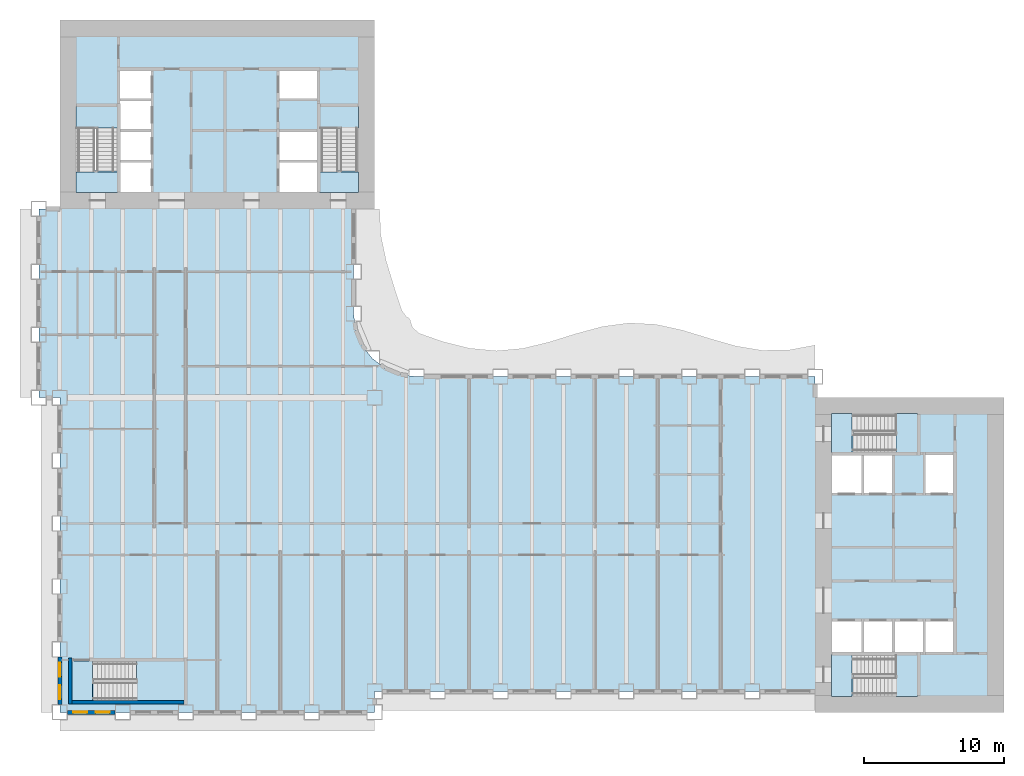
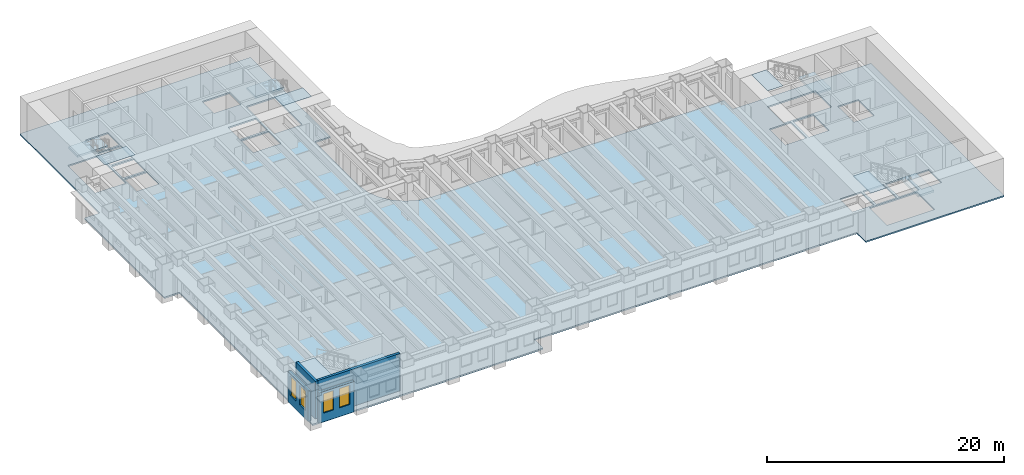
# One storey, part 2 of 15: 11 slabs, 4 walls, 4 windows, 4 openings, 5 elements without a shape of their own.
"""IFC4 building model written with IfcOpenShell, lengths in metres."""

from ifc_helpers import new_model, si_unit, direction, frame, frame_2d, origin, place, context, subcontext, project, spatial, polyline, rectangle, outline, extrude, material, layer, layer_set, type_object, element, fill, aggregate, save


model = new_model("IFC4")

# Units and contexts
model_context = context("Model", 3, precision=1e-05, world=origin(), true_north=direction((0.0, 1.0)))
body_context = subcontext(model_context, "Body", "Model", "MODEL_VIEW")
ifc_project = project(units=[si_unit("LENGTHUNIT", "METRE"), si_unit("AREAUNIT", "SQUARE_METRE"), si_unit("VOLUMEUNIT", "CUBIC_METRE"), si_unit("PLANEANGLEUNIT", "RADIAN"), si_unit("MASSUNIT", "GRAM", prefix="KILO")], contexts=[model_context])

# Site, building, storey
site_placement = place(None, origin())
site = spatial("IfcSite", under=ifc_project, at=site_placement, CompositionType="ELEMENT")
building_placement = place(site_placement, origin())
building = spatial("IfcBuilding", under=site, at=building_placement, Name="Sennacour Bend Tower", CompositionType="ELEMENT")
storey_placement = place(building_placement, frame((0.0, 0.0, 41.0)))
storey = spatial("IfcBuildingStorey", under=building, at=storey_placement, Name="L08", CompositionType="ELEMENT", Elevation=41.0)

# Slabs
ifc_material_1 = material(Name="Concrete C30/37", Category="concrete")
ifc_layer_1 = layer(ifc_material_1, 0.14990234375, Name="Concrete C30/37", Category="concrete")
ifc_layer_set_1 = layer_set([ifc_layer_1], Name="Concrete C30/37")
slab_type_1 = type_object("IfcSlabType", Name="Floor slab 150", PredefinedType="FLOOR", material=ifc_layer_set_1)
slab_1_placement = place(storey_placement, frame((0.0, 0.0, -0.14990234375)))
element("IfcSlab", 1, at=slab_1_placement, inside=storey, type_object=slab_type_1, Name="Floor slab L08-01", PredefinedType="FLOOR", context=body_context, shape_type="SweptSolid", body=[
    extrude(outline(polyline([(0.0, 22.5), (-1.5, 22.5), (-1.5, 36.0), (0.0, 36.0), (0.0, 49.5), (22.5, 49.5), (22.5, 36.0), (21.0, 36.0), (21.0, 28.5), (21.1533203125, 27.335205078125), (21.602783203125, 26.25), (22.318115234375, 25.318115234375), (23.25, 24.602783203125), (24.335205078125, 24.1533203125), (25.5, 24.0), (54.0, 24.0), (54.0, 22.5), (67.5, 22.5), (67.5, 0.0), (54.0, 0.0), (54.0, 1.5), (22.5, 1.5), (22.5, 0.0), (0.0, 0.0), (0.0, 22.5)]), holes=[polyline([(8.800048828125, 0.949951171875), (8.800048828125, 3.5), (2.429931640625, 3.5), (2.429931640625, 0.949951171875), (8.800048828125, 0.949951171875)]), polyline([(6.5, 37.199951171875), (6.5, 39.300048828125), (4.300048828125, 39.300048828125), (4.300048828125, 37.199951171875), (6.5, 37.199951171875)]), polyline([(18.39990234375, 37.199951171875), (18.39990234375, 39.300048828125), (15.699951171875, 39.300048828125), (15.699951171875, 37.199951171875), (18.39990234375, 37.199951171875)]), polyline([(6.5, 39.5), (6.5, 41.5), (4.300048828125, 41.5), (4.300048828125, 39.5), (6.5, 39.5)]), polyline([(18.39990234375, 39.5), (18.39990234375, 41.5), (15.699951171875, 41.5), (15.699951171875, 39.5), (18.39990234375, 39.5)]), polyline([(4.125, 38.72998046875), (4.125, 43.39990234375), (1.14990234375, 43.39990234375), (1.14990234375, 38.72998046875), (4.125, 38.72998046875)]), polyline([(21.35009765625, 38.72998046875), (21.35009765625, 43.39990234375), (18.574951171875, 43.39990234375), (18.574951171875, 38.72998046875), (21.35009765625, 38.72998046875)]), polyline([(4.300048828125, 41.699951171875), (6.5, 41.699951171875), (6.5, 43.699951171875), (4.300048828125, 43.699951171875), (4.300048828125, 41.699951171875)]), polyline([(4.300048828125, 43.89990234375), (6.5, 43.89990234375), (6.5, 45.89990234375), (4.300048828125, 45.89990234375), (4.300048828125, 43.89990234375)]), polyline([(18.39990234375, 43.89990234375), (18.39990234375, 45.89990234375), (15.699951171875, 45.89990234375), (15.699951171875, 43.89990234375), (18.39990234375, 43.89990234375)]), polyline([(61.39990234375, 1.14990234375), (61.39990234375, 4.125), (56.72998046875, 4.125), (56.72998046875, 1.14990234375), (61.39990234375, 1.14990234375)]), polyline([(57.300048828125, 4.300048828125), (57.300048828125, 6.5), (55.199951171875, 6.5), (55.199951171875, 4.300048828125), (57.300048828125, 4.300048828125)]), polyline([(57.5, 4.300048828125), (59.5, 4.300048828125), (59.5, 6.5), (57.5, 6.5), (57.5, 4.300048828125)]), polyline([(59.699951171875, 4.300048828125), (61.699951171875, 4.300048828125), (61.699951171875, 6.5), (59.699951171875, 6.5), (59.699951171875, 4.300048828125)]), polyline([(63.89990234375, 4.300048828125), (63.89990234375, 6.5), (61.89990234375, 6.5), (61.89990234375, 4.300048828125), (63.89990234375, 4.300048828125)]), polyline([(57.300048828125, 15.699951171875), (57.300048828125, 18.39990234375), (55.199951171875, 18.39990234375), (55.199951171875, 15.699951171875), (57.300048828125, 15.699951171875)]), polyline([(59.5, 15.699951171875), (59.5, 18.39990234375), (57.5, 18.39990234375), (57.5, 15.699951171875), (59.5, 15.699951171875)]), polyline([(61.89990234375, 15.699951171875), (63.89990234375, 15.699951171875), (63.89990234375, 18.39990234375), (61.89990234375, 18.39990234375), (61.89990234375, 15.699951171875)]), polyline([(56.72998046875, 18.574951171875), (61.39990234375, 18.574951171875), (61.39990234375, 21.35009765625), (56.72998046875, 21.35009765625), (56.72998046875, 18.574951171875)])]), origin(), (0.0, 0.0, 1.0), 0.14990234375),
])
ifc_material_2 = material(Name="Concrete C40/50", Category="concrete")
ifc_layer_2 = layer(ifc_material_2, 0.034912109375, Name="Concrete C40/50", Category="concrete")
ifc_layer_set_2 = layer_set([ifc_layer_2], Name="Concrete C40/50")
slab_type_2 = type_object("IfcSlabType", Name="Stair arrival nib 35", PredefinedType="FLOOR", material=ifc_layer_set_2)
slab_2_placement = place(storey_placement, frame((0.0, 0.0, 3.815185546875)))
element("IfcSlab", 2, at=slab_2_placement, inside=storey, type_object=slab_type_2, Name="L08 SA1 stair arrival nib", PredefinedType="FLOOR", context=body_context, shape_type="SweptSolid", body=[
    extrude(outline(polyline([(56.64208984375, 4.125), (55.14990234375, 4.125), (55.14990234375, 1.14990234375), (56.64208984375, 1.14990234375), (56.64208984375, 4.125)])), origin(), (0.0, 0.0, 1.0), 0.034912109375),
])
slab_3_placement = place(storey_placement, frame((0.0, 0.0, 3.815185546875)))
element("IfcSlab", 3, at=slab_3_placement, inside=storey, type_object=slab_type_2, Name="L08 SA2 stair arrival nib", PredefinedType="FLOOR", context=body_context, shape_type="SweptSolid", body=[
    extrude(outline(polyline([(56.64208984375, 21.35009765625), (55.14990234375, 21.35009765625), (55.14990234375, 18.574951171875), (56.64208984375, 18.574951171875), (56.64208984375, 21.35009765625)])), origin(), (0.0, 0.0, 1.0), 0.034912109375),
])
slab_4_placement = place(storey_placement, frame((0.0, 0.0, 3.815185546875)))
element("IfcSlab", 4, at=slab_4_placement, inside=storey, type_object=slab_type_2, Name="L08 SB1 stair arrival nib", PredefinedType="FLOOR", context=body_context, shape_type="SweptSolid", body=[
    extrude(outline(polyline([(1.14990234375, 38.64208984375), (1.14990234375, 37.14990234375), (4.125, 37.14990234375), (4.125, 38.64208984375), (1.14990234375, 38.64208984375)])), origin(), (0.0, 0.0, 1.0), 0.034912109375),
])
slab_5_placement = place(storey_placement, frame((0.0, 0.0, 3.815185546875)))
element("IfcSlab", 5, at=slab_5_placement, inside=storey, type_object=slab_type_2, Name="L08 SB2 stair arrival nib", PredefinedType="FLOOR", context=body_context, shape_type="SweptSolid", body=[
    extrude(outline(polyline([(18.574951171875, 38.64208984375), (18.574951171875, 37.14990234375), (21.35009765625, 37.14990234375), (21.35009765625, 38.64208984375), (18.574951171875, 38.64208984375)])), origin(), (0.0, 0.0, 1.0), 0.034912109375),
])
slab_6_placement = place(storey_placement, frame((0.0, 0.0, 3.815185546875)))
element("IfcSlab", 6, at=slab_6_placement, inside=storey, type_object=slab_type_2, Name="L08 SK1 stair arrival nib", PredefinedType="FLOOR", context=body_context, shape_type="SweptSolid", body=[
    extrude(outline(polyline([(2.342041015625, 3.675048828125), (0.800048828125, 3.675048828125), (0.800048828125, 0.800048828125), (2.342041015625, 0.800048828125), (2.342041015625, 3.675048828125)])), origin(), (0.0, 0.0, 1.0), 0.034912109375),
])

# Stair, slab
stair_type = type_object("IfcStairType", Name="ST-DOGLEG", PredefinedType="HALF_TURN_STAIR", material=ifc_material_2)
stair_1_placement = place(storey_placement, origin())
stair_1 = element("IfcStair", 7, at=stair_1_placement, inside=storey, type_object=stair_type, Name="L08 Exit stair A1", PredefinedType="HALF_TURN_STAIR")
ifc_layer_3 = layer(ifc_material_2, 0.199951171875, Name="Concrete C40/50", Category="concrete")
ifc_layer_set_3 = layer_set([ifc_layer_3], Name="Concrete C40/50")
slab_type_3 = type_object("IfcSlabType", Name="Stair landing 200", PredefinedType="LANDING", material=ifc_layer_set_3)
slab_7_placement = place(storey_placement, frame((0.0, 0.0, 1.800048828125)))
slab_7 = element("IfcSlab", 8, at=slab_7_placement, type_object=slab_type_3, Name="SA1 landing 1", PredefinedType="LANDING", context=body_context, shape_type="SweptSolid", body=[
    extrude(outline(polyline([(59.780029296875, 1.14990234375), (61.324951171875, 1.14990234375), (61.324951171875, 4.125), (59.780029296875, 4.125), (59.780029296875, 1.14990234375)])), origin(), (0.0, 0.0, 1.0), 0.199951171875),
])
aggregate(stair_1, [slab_7])

stair_2_placement = place(storey_placement, origin())
stair_2 = element("IfcStair", 9, at=stair_2_placement, inside=storey, type_object=stair_type, Name="L08 Exit stair A2", PredefinedType="HALF_TURN_STAIR")
slab_8_placement = place(storey_placement, frame((0.0, 0.0, 1.800048828125)))
slab_8 = element("IfcSlab", 10, at=slab_8_placement, type_object=slab_type_3, Name="SA2 landing 1", PredefinedType="LANDING", context=body_context, shape_type="SweptSolid", body=[
    extrude(outline(polyline([(59.780029296875, 18.574951171875), (61.324951171875, 18.574951171875), (61.324951171875, 21.35009765625), (59.780029296875, 21.35009765625), (59.780029296875, 18.574951171875)])), origin(), (0.0, 0.0, 1.0), 0.199951171875),
])
aggregate(stair_2, [slab_8])

stair_3_placement = place(storey_placement, origin())
stair_3 = element("IfcStair", 11, at=stair_3_placement, inside=storey, type_object=stair_type, Name="L08 Exit stair B1", PredefinedType="HALF_TURN_STAIR")
slab_9_placement = place(storey_placement, frame((0.0, 0.0, 1.800048828125)))
slab_9 = element("IfcSlab", 12, at=slab_9_placement, type_object=slab_type_3, Name="SB1 landing 1", PredefinedType="LANDING", context=body_context, shape_type="SweptSolid", body=[
    extrude(outline(polyline([(1.14990234375, 41.780029296875), (4.125, 41.780029296875), (4.125, 43.324951171875), (1.14990234375, 43.324951171875), (1.14990234375, 41.780029296875)])), origin(), (0.0, 0.0, 1.0), 0.199951171875),
])
aggregate(stair_3, [slab_9])

stair_4_placement = place(storey_placement, origin())
stair_4 = element("IfcStair", 13, at=stair_4_placement, inside=storey, type_object=stair_type, Name="L08 Exit stair B2", PredefinedType="HALF_TURN_STAIR")
slab_10_placement = place(storey_placement, frame((0.0, 0.0, 1.800048828125)))
slab_10 = element("IfcSlab", 14, at=slab_10_placement, type_object=slab_type_3, Name="SB2 landing 1", PredefinedType="LANDING", context=body_context, shape_type="SweptSolid", body=[
    extrude(outline(polyline([(18.574951171875, 41.780029296875), (21.35009765625, 41.780029296875), (21.35009765625, 43.324951171875), (18.574951171875, 43.324951171875), (18.574951171875, 41.780029296875)])), origin(), (0.0, 0.0, 1.0), 0.199951171875),
])
aggregate(stair_4, [slab_10])

stair_5_placement = place(storey_placement, origin())
stair_5 = element("IfcStair", 15, at=stair_5_placement, inside=storey, type_object=stair_type, Name="L08 Exit stair K1", PredefinedType="HALF_TURN_STAIR")
slab_11_placement = place(storey_placement, frame((0.0, 0.0, 1.800048828125)))
slab_11 = element("IfcSlab", 16, at=slab_11_placement, type_object=slab_type_3, Name="SK1 landing 1", PredefinedType="LANDING", context=body_context, shape_type="SweptSolid", body=[
    extrude(outline(polyline([(5.47998046875, 0.800048828125), (8.925048828125, 0.800048828125), (8.925048828125, 3.675048828125), (5.47998046875, 3.675048828125), (5.47998046875, 0.800048828125)])), origin(), (0.0, 0.0, 1.0), 0.199951171875),
])
aggregate(stair_5, [slab_11])

# Wall, openings, windows
ifc_material_3 = material(Name="Warm limestone cladding", Category="masonry")
ifc_layer_4 = layer(ifc_material_3, 0.050048828125, Name="Warm limestone cladding", Category="masonry")
ifc_material_4 = material(Name="Precast concrete C40/50", Category="concrete")
ifc_layer_5 = layer(ifc_material_4, 0.25, Name="Precast concrete C40/50", Category="concrete")
ifc_layer_set_4 = layer_set([ifc_layer_4, ifc_layer_5], Name="Precast concrete C40/50 with limestone cladding")
wall_type_1 = type_object("IfcWallType", Name="STONE-CLAD PRECAST SPANDREL 300", PredefinedType="STANDARD", material=ifc_layer_set_4)
wall_1_placement = place(storey_placement, frame((0.550048828125, 0.0, 0.0), z_axis=(0.0, 0.0, 1.0), x_axis=(1.0, 0.0, 0.0)))
wall_1 = element("IfcWall", 17, at=wall_1_placement, inside=storey, type_object=wall_type_1, Name="Stone spandrel and pier wall L08 00.00", PredefinedType="STANDARD", context=body_context, shape_type="SweptSolid", body=[
    extrude(rectangle(XDim=3.39990234375, YDim=0.300048828125, at=frame_2d((1.699951171875, 0.0))), origin(), (0.0, 0.0, 1.0), 3.14404296875),
])
opening_1_placement = place(wall_1_placement, frame((0.39990234375, 0.0, 0.89990234375)))
opening_1 = element("IfcOpeningElement", 18, at=opening_1_placement, cuts=wall_1, Name="Opening W8", PredefinedType="OPENING", context=body_context, shape_type="SweptSolid", body=[
    extrude(rectangle(XDim=1.0, YDim=2.0, at=frame_2d((0.5, 1.0))), frame((0.0, 0.16015625, 0.0), z_axis=(0.0, -1.0, 0.0), x_axis=(1.0, 0.0, 0.0)), (0.0, 0.0, 1.0), 0.320068359375),
])
opening_2_placement = place(wall_1_placement, frame((2.0, 0.0, 0.89990234375)))
opening_2 = element("IfcOpeningElement", 19, at=opening_2_placement, cuts=wall_1, Name="Opening W8", PredefinedType="OPENING", context=body_context, shape_type="SweptSolid", body=[
    extrude(rectangle(XDim=1.0, YDim=2.0, at=frame_2d((0.5, 1.0))), frame((0.0, 0.16015625, 0.0), z_axis=(0.0, -1.0, 0.0), x_axis=(1.0, 0.0, 0.0)), (0.0, 0.0, 1.0), 0.320068359375),
])
ifc_material_5 = material(Name="Clear low-emissivity glass", Category="glass")
window_type = type_object("IfcWindowType", Name="WIN-RIBBON-1000x2000", PartitioningType="SINGLE_PANEL", PredefinedType="WINDOW", material=ifc_material_5)
window_1_placement = place(opening_1_placement, origin())
window_1 = element("IfcWindow", 20, at=window_1_placement, inside=storey, type_object=window_type, Name="Ribbon window L08 00.00.0", OverallHeight=2.0, OverallWidth=1.0, PartitioningType="SINGLE_PANEL", PredefinedType="WINDOW", context=body_context, shape_type="SweptSolid", body=[
    extrude(rectangle(XDim=1.0, YDim=2.0, at=frame_2d((0.5, 1.0))), frame((0.0, 0.030029296875, 0.0), z_axis=(0.0, -1.0, 0.0), x_axis=(1.0, 0.0, 0.0)), (0.0, 0.0, 1.0), 0.06005859375),
])
fill(opening_1, window_1)
window_2_placement = place(opening_2_placement, origin())
window_2 = element("IfcWindow", 21, at=window_2_placement, inside=storey, type_object=window_type, Name="Ribbon window L08 00.00.1", OverallHeight=2.0, OverallWidth=1.0, PartitioningType="SINGLE_PANEL", PredefinedType="WINDOW", context=body_context, shape_type="SweptSolid", body=[
    extrude(rectangle(XDim=1.0, YDim=2.0, at=frame_2d((0.5, 1.0))), frame((0.0, 0.030029296875, 0.0), z_axis=(0.0, -1.0, 0.0), x_axis=(1.0, 0.0, 0.0)), (0.0, 0.0, 1.0), 0.06005859375),
])
fill(opening_2, window_2)

wall_2_placement = place(storey_placement, frame((0.0, 3.949951171875, 0.0), z_axis=(0.0, 0.0, 1.0), x_axis=(0.0, -1.0, 0.0)))
wall_2 = element("IfcWall", 22, at=wall_2_placement, inside=storey, type_object=wall_type_1, Name="Stone spandrel and pier wall L08 23.04", PredefinedType="STANDARD", context=body_context, shape_type="SweptSolid", body=[
    extrude(rectangle(XDim=3.39990234375, YDim=0.300048828125, at=frame_2d((1.699951171875, 0.0))), origin(), (0.0, 0.0, 1.0), 3.14404296875),
])
opening_3_placement = place(wall_2_placement, frame((0.39990234375, 0.0, 0.89990234375)))
opening_3 = element("IfcOpeningElement", 23, at=opening_3_placement, cuts=wall_2, Name="Opening W8", PredefinedType="OPENING", context=body_context, shape_type="SweptSolid", body=[
    extrude(rectangle(XDim=1.0, YDim=2.0, at=frame_2d((0.5, 1.0))), frame((0.0, 0.16015625, 0.0), z_axis=(0.0, -1.0, 0.0), x_axis=(1.0, 0.0, 0.0)), (0.0, 0.0, 1.0), 0.320068359375),
])
opening_4_placement = place(wall_2_placement, frame((2.0, 0.0, 0.89990234375)))
opening_4 = element("IfcOpeningElement", 24, at=opening_4_placement, cuts=wall_2, Name="Opening W8", PredefinedType="OPENING", context=body_context, shape_type="SweptSolid", body=[
    extrude(rectangle(XDim=1.0, YDim=2.0, at=frame_2d((0.5, 1.0))), frame((0.0, 0.16015625, 0.0), z_axis=(0.0, -1.0, 0.0), x_axis=(1.0, 0.0, 0.0)), (0.0, 0.0, 1.0), 0.320068359375),
])
window_3_placement = place(opening_3_placement, origin())
window_3 = element("IfcWindow", 25, at=window_3_placement, inside=storey, type_object=window_type, Name="Ribbon window L08 23.04.0", OverallHeight=2.0, OverallWidth=1.0, PartitioningType="SINGLE_PANEL", PredefinedType="WINDOW", context=body_context, shape_type="SweptSolid", body=[
    extrude(rectangle(XDim=1.0, YDim=2.0, at=frame_2d((0.5, 1.0))), frame((0.0, 0.030029296875, 0.0), z_axis=(0.0, -1.0, 0.0), x_axis=(1.0, 0.0, 0.0)), (0.0, 0.0, 1.0), 0.06005859375),
])
fill(opening_3, window_3)
window_4_placement = place(opening_4_placement, origin())
window_4 = element("IfcWindow", 26, at=window_4_placement, inside=storey, type_object=window_type, Name="Ribbon window L08 23.04.1", OverallHeight=2.0, OverallWidth=1.0, PartitioningType="SINGLE_PANEL", PredefinedType="WINDOW", context=body_context, shape_type="SweptSolid", body=[
    extrude(rectangle(XDim=1.0, YDim=2.0, at=frame_2d((0.5, 1.0))), frame((0.0, 0.030029296875, 0.0), z_axis=(0.0, -1.0, 0.0), x_axis=(1.0, 0.0, 0.0)), (0.0, 0.0, 1.0), 0.06005859375),
])
fill(opening_4, window_4)

# Walls
ifc_material_6 = material(Name="Concrete C60/75", Category="concrete")
ifc_layer_6 = layer(ifc_material_6, 0.25, Name="Concrete C60/75", Category="concrete")
ifc_layer_set_5 = layer_set([ifc_layer_6], Name="Concrete C60/75")
wall_type_2 = type_object("IfcWallType", Name="Stair wall 250", PredefinedType="SHEAR", material=ifc_layer_set_5)
wall_3_placement = place(storey_placement, frame((0.72509765625, 0.60009765625, 0.0), z_axis=(0.0, 0.0, 1.0), x_axis=(0.0, 1.0, 0.0)))
element("IfcWall", 27, at=wall_3_placement, inside=storey, type_object=wall_type_2, Name="P-L08-W003", PredefinedType="SHEAR", context=body_context, shape_type="SweptSolid", body=[
    extrude(rectangle(XDim=3.27490234375, YDim=0.25, at=frame_2d((1.637451171875, 0.0))), origin(), (0.0, 0.0, 1.0), 3.85009765625),
])
wall_4_placement = place(storey_placement, frame((0.85009765625, 0.72509765625, 0.0), z_axis=(0.0, 0.0, 1.0), x_axis=(1.0, 0.0, 0.0)))
element("IfcWall", 28, at=wall_4_placement, inside=storey, type_object=wall_type_2, Name="P-L08-W046", PredefinedType="SHEAR", context=body_context, shape_type="SweptSolid", body=[
    extrude(rectangle(XDim=8.02490234375, YDim=0.25, at=frame_2d((4.012451171875, 0.0))), origin(), (0.0, 0.0, 1.0), 3.85009765625),
])

save(model, "model.ifc")
